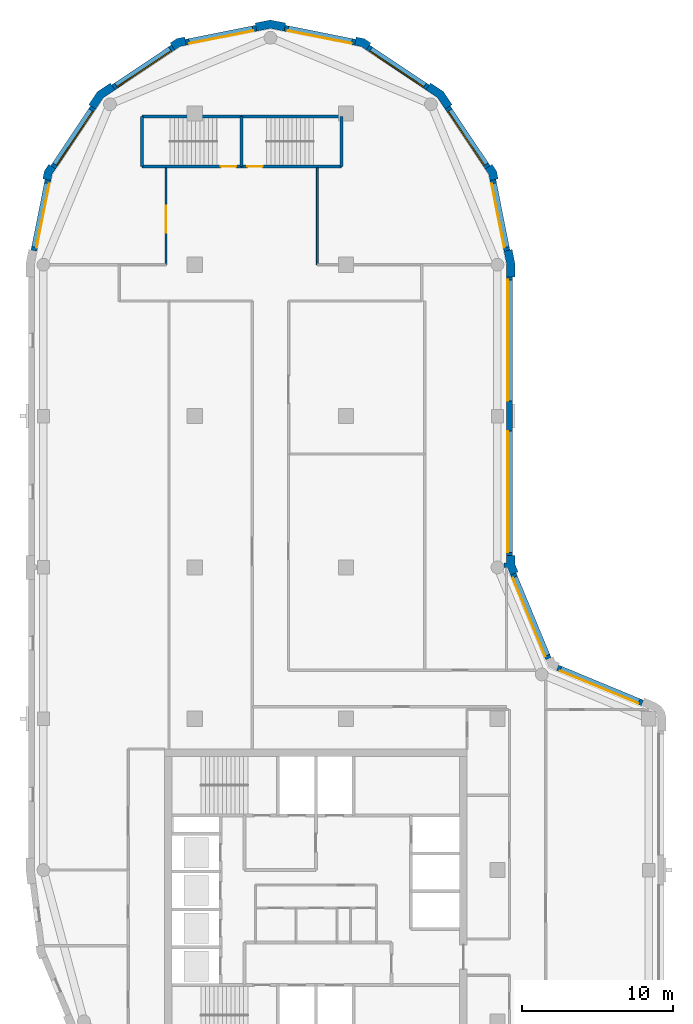
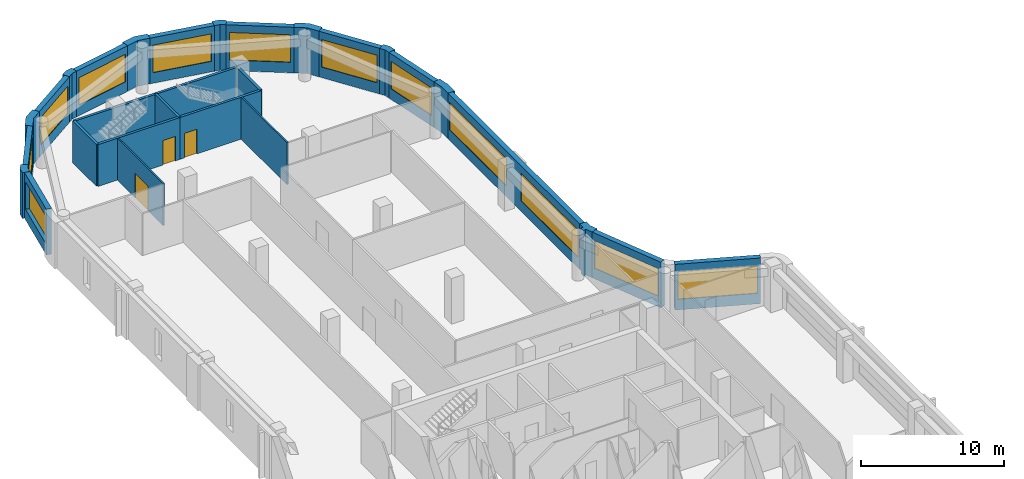
# One storey, part 5 of 8: 29 walls, 12 windows, 3 doors, 15 openings.
"""IFC4 building model written with IfcOpenShell, lengths in metres."""

import ifcopenshell
import ifcopenshell.guid

model = None  # the IFC model being written
_history = None  # IfcOwnerHistory: only IFC2X3 demands one
_inside = {}  # id of a spatial element -> (the spatial element, [elements in it])
_under = {}  # id of a project, library or spatial element -> (it, [spatial elements below it])
_declared = {}  # id of a project -> (the project, [libraries it declares])
_typed = {}  # id of a type object -> (the type object, [elements of that type])
_made_of = {}  # id of a material, layer set ... -> (it, [elements and type objects made of it])


def new_model(schema):
    """Start an empty IFC model of exactly this schema.

    Asked for "IFC4X3", IfcOpenShell would pick the latest addendum, in which some entities
    have other attributes; the version numbers below select the first issue.
    IFC2X3 requires an IfcOwnerHistory on every rooted entity: one is made here for all.
    """
    global model, _history
    if schema == "IFC4X3":
        model = ifcopenshell.file(schema_version=(4, 3, 0, 0))
    else:
        model = ifcopenshell.file(schema=schema)
    _inside.clear()
    _under.clear()
    _declared.clear()
    _typed.clear()
    _made_of.clear()
    _history = None
    if model.schema == "IFC2X3":
        org = make("IfcOrganization", Name="unknown")
        user = make(
            "IfcPersonAndOrganization",
            ThePerson=make("IfcPerson", FamilyName="unknown"),
            TheOrganization=org,
        )
        app = make(
            "IfcApplication",
            ApplicationDeveloper=org,
            Version="unknown",
            ApplicationFullName="unknown",
            ApplicationIdentifier="unknown",
        )
        _history = make(
            "IfcOwnerHistory",
            OwningUser=user,
            OwningApplication=app,
            ChangeAction="ADDED",
            CreationDate=0,
        )
    return model


def make(cls, **values):
    """One entity of the class cls with the attributes given. An attribute that is None is left unset."""
    return model.create_entity(
        cls, **{name: value for name, value in values.items() if value is not None}
    )


def rooted(cls, **values):
    """An entity with a GlobalId (a new one), such as an element, a storey or a relation."""
    return make(cls, GlobalId=ifcopenshell.guid.new(), OwnerHistory=_history, **values)


def si_unit(unit_type, name, prefix=None):
    """IfcSIUnit, for example si_unit("LENGTHUNIT", "METRE", prefix="MILLI")."""
    return make("IfcSIUnit", UnitType=unit_type, Prefix=prefix, Name=name)


def assignment(units):
    """IfcUnitAssignment: the units of a project."""
    return None if units is None else make("IfcUnitAssignment", Units=units)


def point(xyz):
    """IfcCartesianPoint."""
    return None if xyz is None else make("IfcCartesianPoint", Coordinates=xyz)


def direction(xyz):
    """IfcDirection."""
    return None if xyz is None else make("IfcDirection", DirectionRatios=xyz)


def frame(location, z_axis=None, x_axis=None):
    """IfcAxis2Placement3D, a coordinate frame: its origin and axes. An axis left out is left unset."""
    return make(
        "IfcAxis2Placement3D",
        Location=point(location),
        Axis=direction(z_axis),
        RefDirection=direction(x_axis),
    )


def frame_2d(location, x_axis=None):
    """IfcAxis2Placement2D, a coordinate frame in the plane: its origin and x axis."""
    return make(
        "IfcAxis2Placement2D", Location=point(location), RefDirection=direction(x_axis)
    )


def origin():
    """The frame at (0, 0, 0) with its axes left unset."""
    return frame((0.0, 0.0, 0.0))


def place(relative_to, where):
    """IfcLocalPlacement: puts the frame where relative to a parent placement (None: the world)."""
    return make(
        "IfcLocalPlacement", PlacementRelTo=relative_to, RelativePlacement=where
    )


def context(
    kind, dimensions, precision=None, world=None, true_north=None, identifier=None
):
    """IfcGeometricRepresentationContext, for example the 3D "Model" context."""
    return make(
        "IfcGeometricRepresentationContext",
        ContextIdentifier=identifier,
        ContextType=kind,
        CoordinateSpaceDimension=dimensions,
        Precision=precision,
        WorldCoordinateSystem=world,
        TrueNorth=true_north,
    )


def subcontext(parent, identifier, kind, view, scale=None):
    """IfcGeometricRepresentationSubContext, for example "Body" below "Model"."""
    return make(
        "IfcGeometricRepresentationSubContext",
        ContextIdentifier=identifier,
        ContextType=kind,
        ParentContext=parent,
        TargetScale=scale,
        TargetView=view,
    )


def project(units=None, contexts=None):
    """IfcProject with its units and contexts."""
    return rooted(
        "IfcProject",
        Name="project",
        RepresentationContexts=contexts,
        UnitsInContext=assignment(units),
    )


def spatial(cls, under=None, at=None, **own):
    """A site, building, storey or space (cls), placed at a placement, below another one or the project."""
    s = rooted(cls, ObjectPlacement=at, **own)
    if under is not None:
        _under.setdefault(under.id(), (under, []))[1].append(s)
    return s


def polyline(points):
    """IfcPolyline through the points."""
    return make("IfcPolyline", Points=[point(p) for p in points])


def profile(cls, at=None, kind="AREA", **sizes):
    """A parametric profile (cls). Its sizes go by their IFC names, for example OverallWidth=200.0."""
    return make(cls, ProfileType=kind, Position=at, **sizes)


def rectangle(**sizes):
    """IfcRectangleProfileDef."""
    return profile("IfcRectangleProfileDef", **sizes)


def outline(outer, holes=None, kind="AREA"):
    """IfcArbitraryClosedProfileDef: a profile drawn as a closed curve; with holes, ...WithVoids."""
    if holes is None:
        return make("IfcArbitraryClosedProfileDef", ProfileType=kind, OuterCurve=outer)
    return make(
        "IfcArbitraryProfileDefWithVoids",
        ProfileType=kind,
        OuterCurve=outer,
        InnerCurves=holes,
    )


def extrude(swept, where, along, depth):
    """IfcExtrudedAreaSolid: the profile swept, set in the frame where, extruded along a direction by depth."""
    return make(
        "IfcExtrudedAreaSolid",
        SweptArea=swept,
        Position=where,
        ExtrudedDirection=direction(along),
        Depth=depth,
    )


def shape(context_of_items, identifier, shape_type, items):
    """IfcShapeRepresentation: the items that make up one representation, for example the "Body"."""
    return make(
        "IfcShapeRepresentation",
        ContextOfItems=context_of_items,
        RepresentationIdentifier=identifier,
        RepresentationType=shape_type,
        Items=items,
    )


def material(Name=None, Category=None):
    """IfcMaterial."""
    return make("IfcMaterial", Name=Name, Category=Category)


def layer(
    of_material, thickness, ventilated=None, Name=None, Category=None, Priority=None
):
    """IfcMaterialLayer: one layer of a wall or slab, of a material (None: an air gap)."""
    return make(
        "IfcMaterialLayer",
        Material=of_material,
        LayerThickness=thickness,
        IsVentilated=ventilated,
        Name=Name,
        Category=Category,
        Priority=Priority,
    )


def layer_set(layers, Name=None):
    """IfcMaterialLayerSet."""
    return make("IfcMaterialLayerSet", MaterialLayers=layers, LayerSetName=Name)


def made_of(thing, what):
    """Note that an element or type object is made of a material, layer set ...; save() writes the relation."""
    if what is not None:
        _made_of.setdefault(what.id(), (what, []))[1].append(thing)
    return thing


def type_object(cls, material=None, **own):
    """A type object (cls), such as IfcWallType, which elements share."""
    return made_of(rooted(cls, **own), material)


def element(
    cls,
    number,
    at=None,
    inside=None,
    cuts=None,
    type_object=None,
    material=None,
    context=None,
    identifier="Body",
    shape_type=None,
    held_by="IfcProductDefinitionShape",
    body=None,
    shapes=None,
    **own,
):
    """One element of the class cls, such as IfcWall. Its Tag is "e" and its number.

    at: its placement. inside: the storey or other place that contains it. cuts: it is an
    opening in that element (IfcRelVoidsElement). A single representation is given by context,
    identifier, shape_type and body (its items); several are given by shapes. held_by: the class
    of the entity that holds the representations. save() writes the other relations.
    """
    e = rooted(cls, Tag="e%d" % number, ObjectPlacement=at, **own)
    if body is not None:
        shapes = [shape(context, identifier, shape_type, body)]
    if shapes is not None:
        e.Representation = make(held_by, Representations=shapes)
    if inside is not None:
        _inside.setdefault(inside.id(), (inside, []))[1].append(e)
    if cuts is not None:
        rooted(
            "IfcRelVoidsElement", RelatingBuildingElement=cuts, RelatedOpeningElement=e
        )
    if type_object is not None:
        _typed.setdefault(type_object.id(), (type_object, []))[1].append(e)
    return made_of(e, material)


def fill(opening, filler):
    """IfcRelFillsElement: the door or window that sits in an opening."""
    return rooted(
        "IfcRelFillsElement",
        RelatingOpeningElement=opening,
        RelatedBuildingElement=filler,
    )


def aggregate(whole, parts):
    """IfcRelAggregates: a whole, such as a stair, and the parts it consists of."""
    return rooted("IfcRelAggregates", RelatingObject=whole, RelatedObjects=parts)


def save(model, path):
    """Write the relations noted so far, then the file.

    IfcRelAggregates (storeys below a building ...), IfcRelContainedInSpatialStructure (elements
    in a storey), IfcRelDefinesByType, IfcRelAssociatesMaterial and IfcRelDeclares: one each for
    every whole, place, type object, material and project.
    """
    for whole, parts in _under.values():
        aggregate(whole, parts)
    for where, things in _inside.values():
        rooted(
            "IfcRelContainedInSpatialStructure",
            RelatedElements=things,
            RelatingStructure=where,
        )
    for kind, things in _typed.values():
        rooted("IfcRelDefinesByType", RelatedObjects=things, RelatingType=kind)
    for what, things in _made_of.values():
        rooted("IfcRelAssociatesMaterial", RelatedObjects=things, RelatingMaterial=what)
    for by, libraries in _declared.values():
        rooted("IfcRelDeclares", RelatingContext=by, RelatedDefinitions=libraries)
    model.write(path)


model = new_model("IFC4")

# Units and contexts
model_context = context("Model", 3, precision=1e-05, world=origin(), true_north=direction((0.0, 1.0)))
body_context = subcontext(model_context, "Body", "Model", "MODEL_VIEW")
ifc_project = project(units=[si_unit("LENGTHUNIT", "METRE"), si_unit("AREAUNIT", "SQUARE_METRE"), si_unit("VOLUMEUNIT", "CUBIC_METRE"), si_unit("PLANEANGLEUNIT", "RADIAN"), si_unit("MASSUNIT", "GRAM", prefix="KILO")], contexts=[model_context])

# Site, building, storey
site_placement = place(None, origin())
site = spatial("IfcSite", under=ifc_project, at=site_placement, CompositionType="ELEMENT")
building_placement = place(site_placement, origin())
building = spatial("IfcBuilding", under=site, at=building_placement, Name="Qaws Garden Tower", CompositionType="ELEMENT")
storey_placement = place(building_placement, frame((0.0, 0.0, 309.89990234375)))
storey = spatial("IfcBuildingStorey", under=building, at=storey_placement, Name="L75", CompositionType="ELEMENT", Elevation=309.89990234375)

# Wall, opening, window
ifc_material_1 = material(Name="Buff clay facing brick masonry", Category="masonry")
ifc_layer_1 = layer(ifc_material_1, 0.39990234375)
ifc_layer_set_1 = layer_set([ifc_layer_1], Name="Buff clay facing brick masonry")
wall_type_1 = type_object("IfcWallType", Name="Buff brick infill wall 400", PredefinedType="SOLIDWALL", material=ifc_layer_set_1)
wall_1_placement = place(storey_placement, frame((39.56689453125, 31.04541015625, 0.0), z_axis=(0.0, 0.0, 1.0), x_axis=(-0.923891000409, 0.382655745237, 0.0)))
wall_1 = element("IfcWall", 1, at=wall_1_placement, inside=storey, type_object=wall_type_1, Name="E-L75-infill-05", PredefinedType="SOLIDWALL", context=body_context, shape_type="SweptSolid", body=[
    extrude(rectangle(XDim=6.053466796875, YDim=0.39990234375, at=frame_2d((3.02685546875, 0.0))), origin(), (0.0, 0.0, 1.0), 3.900146484375),
])
opening_1_placement = place(wall_1_placement, frame((0.226806640625, 0.0, 0.89990234375)))
opening_1 = element("IfcOpeningElement", 2, at=opening_1_placement, cuts=wall_1, Name="Opening W04", PredefinedType="OPENING", context=body_context, shape_type="SweptSolid", body=[
    extrude(rectangle(XDim=5.60009765625, YDim=2.35009765625, at=frame_2d((2.800048828125, 1.175048828125))), frame((0.0, 0.2099609375, 0.0), z_axis=(0.0, -1.0, 0.0), x_axis=(1.0, 0.0, 0.0)), (0.0, 0.0, 1.0), 0.419921875),
])
ifc_material_2 = material(Name="Aluminium framed window, clear glazing", Category="aluminium")
window_type_1 = type_object("IfcWindowType", Name="Ribbon window 5600 x 2350", PartitioningType="DOUBLE_PANEL_VERTICAL", PredefinedType="WINDOW", material=ifc_material_2)
window_1_placement = place(opening_1_placement, origin())
window_1 = element("IfcWindow", 3, at=window_1_placement, inside=storey, type_object=window_type_1, Name="E-L75-window-05-0", OverallHeight=2.35009765625, OverallWidth=5.60009765625, PartitioningType="SINGLE_PANEL", PredefinedType="WINDOW", context=body_context, shape_type="SweptSolid", body=[
    extrude(rectangle(XDim=5.60009765625, YDim=2.35009765625, at=frame_2d((2.800048828125, 1.175048828125))), frame((0.0, 0.159912109375, 0.0), z_axis=(0.0, -1.0, 0.0), x_axis=(1.0, 0.0, 0.0)), (0.0, 0.0, 1.0), 0.06005859375),
])
fill(opening_1, window_1)

wall_2_placement = place(storey_placement, frame((33.36181640625, 33.97412109375, 0.0), z_axis=(0.0, 0.0, 1.0), x_axis=(-0.382655745237, 0.923891000409, 0.0)))
wall_2 = element("IfcWall", 4, at=wall_2_placement, inside=storey, type_object=wall_type_1, Name="E-L75-infill-06", PredefinedType="SOLIDWALL", context=body_context, shape_type="SweptSolid", body=[
    extrude(rectangle(XDim=6.053466796875, YDim=0.39990234375, at=frame_2d((3.02685546875, 0.0))), origin(), (0.0, 0.0, 1.0), 3.900146484375),
])
opening_2_placement = place(wall_2_placement, frame((0.226806640625, 0.0, 0.89990234375)))
opening_2 = element("IfcOpeningElement", 5, at=opening_2_placement, cuts=wall_2, Name="Opening W04", PredefinedType="OPENING", context=body_context, shape_type="SweptSolid", body=[
    extrude(rectangle(XDim=5.60009765625, YDim=2.35009765625, at=frame_2d((2.800048828125, 1.175048828125))), frame((0.0, 0.2099609375, 0.0), z_axis=(0.0, -1.0, 0.0), x_axis=(1.0, 0.0, 0.0)), (0.0, 0.0, 1.0), 0.419921875),
])
window_2_placement = place(opening_2_placement, origin())
window_2 = element("IfcWindow", 6, at=window_2_placement, inside=storey, type_object=window_type_1, Name="E-L75-window-06-0", OverallHeight=2.35009765625, OverallWidth=5.60009765625, PartitioningType="SINGLE_PANEL", PredefinedType="WINDOW", context=body_context, shape_type="SweptSolid", body=[
    extrude(rectangle(XDim=5.60009765625, YDim=2.35009765625, at=frame_2d((2.800048828125, 1.175048828125))), frame((0.0, 0.159912109375, 0.0), z_axis=(0.0, -1.0, 0.0), x_axis=(1.0, 0.0, 0.0)), (0.0, 0.0, 1.0), 0.06005859375),
])
fill(opening_2, window_2)

# Wall, openings, windows
wall_3_placement = place(storey_placement, frame((30.800048828125, 40.800048828125, 0.0), z_axis=(0.0, 0.0, 1.0), x_axis=(0.0, 1.0, 0.0)))
wall_3 = element("IfcWall", 7, at=wall_3_placement, inside=storey, type_object=wall_type_1, Name="E-L75-infill-07", PredefinedType="SOLIDWALL", context=body_context, shape_type="SweptSolid", body=[
    extrude(rectangle(XDim=18.39990234375, YDim=0.39990234375, at=frame_2d((9.199951171875, 0.0))), origin(), (0.0, 0.0, 1.0), 3.900146484375),
])
opening_3_placement = place(wall_3_placement, frame((0.199951171875, 0.0, 0.89990234375)))
opening_3 = element("IfcOpeningElement", 8, at=opening_3_placement, cuts=wall_3, Name="Opening W01", PredefinedType="OPENING", context=body_context, shape_type="SweptSolid", body=[
    extrude(rectangle(XDim=8.0, YDim=2.35009765625, at=frame_2d((4.0, 1.175048828125))), frame((0.0, 0.2099609375, 0.0), z_axis=(0.0, -1.0, 0.0), x_axis=(1.0, 0.0, 0.0)), (0.0, 0.0, 1.0), 0.419921875),
])
opening_4_placement = place(wall_3_placement, frame((10.199951171875, 0.0, 0.89990234375)))
opening_4 = element("IfcOpeningElement", 9, at=opening_4_placement, cuts=wall_3, Name="Opening W01", PredefinedType="OPENING", context=body_context, shape_type="SweptSolid", body=[
    extrude(rectangle(XDim=8.0, YDim=2.35009765625, at=frame_2d((4.0, 1.175048828125))), frame((0.0, 0.2099609375, 0.0), z_axis=(0.0, -1.0, 0.0), x_axis=(1.0, 0.0, 0.0)), (0.0, 0.0, 1.0), 0.419921875),
])
ifc_material_3 = material(Name="Aluminium framed window, clear glazing", Category="aluminium")
window_type_2 = type_object("IfcWindowType", Name="Ribbon window 8000 x 2350", PartitioningType="DOUBLE_PANEL_VERTICAL", PredefinedType="WINDOW", material=ifc_material_3)
window_3_placement = place(opening_3_placement, origin())
window_3 = element("IfcWindow", 10, at=window_3_placement, inside=storey, type_object=window_type_2, Name="E-L75-window-07-0", OverallHeight=2.35009765625, OverallWidth=8.0, PartitioningType="SINGLE_PANEL", PredefinedType="WINDOW", context=body_context, shape_type="SweptSolid", body=[
    extrude(rectangle(XDim=8.0, YDim=2.35009765625, at=frame_2d((4.0, 1.175048828125))), frame((0.0, 0.159912109375, 0.0), z_axis=(0.0, -1.0, 0.0), x_axis=(1.0, 0.0, 0.0)), (0.0, 0.0, 1.0), 0.06005859375),
])
fill(opening_3, window_3)
window_4_placement = place(opening_4_placement, origin())
window_4 = element("IfcWindow", 11, at=window_4_placement, inside=storey, type_object=window_type_2, Name="E-L75-window-08-0", OverallHeight=2.35009765625, OverallWidth=8.0, PartitioningType="SINGLE_PANEL", PredefinedType="WINDOW", context=body_context, shape_type="SweptSolid", body=[
    extrude(rectangle(XDim=8.0, YDim=2.35009765625, at=frame_2d((4.0, 1.175048828125))), frame((0.0, 0.159912109375, 0.0), z_axis=(0.0, -1.0, 0.0), x_axis=(1.0, 0.0, 0.0)), (0.0, 0.0, 1.0), 0.06005859375),
])
fill(opening_4, window_4)

# Wall, opening, window
wall_4_placement = place(storey_placement, frame((30.628662109375, 60.940673828125, 0.0), z_axis=(0.0, 0.0, 1.0), x_axis=(-0.195098533057, 0.98078364709, 0.0)))
wall_4 = element("IfcWall", 12, at=wall_4_placement, inside=storey, type_object=wall_type_1, Name="E-L75-infill-09", PredefinedType="SOLIDWALL", context=body_context, shape_type="SweptSolid", body=[
    extrude(rectangle(XDim=4.752685546875, YDim=0.39990234375, at=frame_2d((2.37646484375, 0.0))), origin(), (0.0, 0.0, 1.0), 3.900146484375),
])
opening_5_placement = place(wall_4_placement, frame((0.226318359375, 0.0, 0.89990234375)))
opening_5 = element("IfcOpeningElement", 13, at=opening_5_placement, cuts=wall_4, Name="Opening W06", PredefinedType="OPENING", context=body_context, shape_type="SweptSolid", body=[
    extrude(rectangle(XDim=4.300048828125, YDim=2.35009765625, at=frame_2d((2.14990234375, 1.175048828125))), frame((0.0, 0.2099609375, 0.0), z_axis=(0.0, -1.0, 0.0), x_axis=(1.0, 0.0, 0.0)), (0.0, 0.0, 1.0), 0.419921875),
])
ifc_material_4 = material(Name="Aluminium framed window, clear glazing", Category="aluminium")
window_type_3 = type_object("IfcWindowType", Name="Ribbon window 4300 x 2350", PartitioningType="DOUBLE_PANEL_VERTICAL", PredefinedType="WINDOW", material=ifc_material_4)
window_5_placement = place(opening_5_placement, origin())
window_5 = element("IfcWindow", 14, at=window_5_placement, inside=storey, type_object=window_type_3, Name="E-L75-window-09-0", OverallHeight=2.35009765625, OverallWidth=4.300048828125, PartitioningType="SINGLE_PANEL", PredefinedType="WINDOW", context=body_context, shape_type="SweptSolid", body=[
    extrude(rectangle(XDim=4.300048828125, YDim=2.35009765625, at=frame_2d((2.14990234375, 1.175048828125))), frame((0.0, 0.159912109375, 0.0), z_axis=(0.0, -1.0, 0.0), x_axis=(1.0, 0.0, 0.0)), (0.0, 0.0, 1.0), 0.06005859375),
])
fill(opening_5, window_5)

wall_5_placement = place(storey_placement, frame((29.356689453125, 66.43408203125, 0.0), z_axis=(0.0, 0.0, 1.0), x_axis=(-0.555541552266, 0.831488775454, 0.0)))
wall_5 = element("IfcWall", 15, at=wall_5_placement, inside=storey, type_object=wall_type_1, Name="E-L75-infill-10", PredefinedType="SOLIDWALL", context=body_context, shape_type="SweptSolid", body=[
    extrude(rectangle(XDim=4.752685546875, YDim=0.39990234375, at=frame_2d((2.37646484375, 0.0))), origin(), (0.0, 0.0, 1.0), 3.900146484375),
])
opening_6_placement = place(wall_5_placement, frame((0.226318359375, 0.0, 0.89990234375)))
opening_6 = element("IfcOpeningElement", 16, at=opening_6_placement, cuts=wall_5, Name="Opening W06", PredefinedType="OPENING", context=body_context, shape_type="SweptSolid", body=[
    extrude(rectangle(XDim=4.300048828125, YDim=2.35009765625, at=frame_2d((2.14990234375, 1.175048828125))), frame((0.0, 0.2099609375, 0.0), z_axis=(0.0, -1.0, 0.0), x_axis=(1.0, 0.0, 0.0)), (0.0, 0.0, 1.0), 0.419921875),
])
window_6_placement = place(opening_6_placement, origin())
window_6 = element("IfcWindow", 17, at=window_6_placement, inside=storey, type_object=window_type_3, Name="E-L75-window-10-0", OverallHeight=2.35009765625, OverallWidth=4.300048828125, PartitioningType="SINGLE_PANEL", PredefinedType="WINDOW", context=body_context, shape_type="SweptSolid", body=[
    extrude(rectangle(XDim=4.300048828125, YDim=2.35009765625, at=frame_2d((2.14990234375, 1.175048828125))), frame((0.0, 0.159912109375, 0.0), z_axis=(0.0, -1.0, 0.0), x_axis=(1.0, 0.0, 0.0)), (0.0, 0.0, 1.0), 0.06005859375),
])
fill(opening_6, window_6)

wall_6_placement = place(storey_placement, frame((25.385986328125, 71.71630859375, 0.0), z_axis=(0.0, 0.0, 1.0), x_axis=(-0.831488775454, 0.555541552266, 0.0)))
wall_6 = element("IfcWall", 18, at=wall_6_placement, inside=storey, type_object=wall_type_1, Name="E-L75-infill-11", PredefinedType="SOLIDWALL", context=body_context, shape_type="SweptSolid", body=[
    extrude(rectangle(XDim=4.752685546875, YDim=0.39990234375, at=frame_2d((2.37646484375, 0.0))), origin(), (0.0, 0.0, 1.0), 3.900146484375),
])
opening_7_placement = place(wall_6_placement, frame((0.226318359375, 0.0, 0.89990234375)))
opening_7 = element("IfcOpeningElement", 19, at=opening_7_placement, cuts=wall_6, Name="Opening W06", PredefinedType="OPENING", context=body_context, shape_type="SweptSolid", body=[
    extrude(rectangle(XDim=4.300048828125, YDim=2.35009765625, at=frame_2d((2.14990234375, 1.175048828125))), frame((0.0, 0.2099609375, 0.0), z_axis=(0.0, -1.0, 0.0), x_axis=(1.0, 0.0, 0.0)), (0.0, 0.0, 1.0), 0.419921875),
])
window_7_placement = place(opening_7_placement, origin())
window_7 = element("IfcWindow", 20, at=window_7_placement, inside=storey, type_object=window_type_3, Name="E-L75-window-11-0", OverallHeight=2.35009765625, OverallWidth=4.300048828125, PartitioningType="SINGLE_PANEL", PredefinedType="WINDOW", context=body_context, shape_type="SweptSolid", body=[
    extrude(rectangle(XDim=4.300048828125, YDim=2.35009765625, at=frame_2d((2.14990234375, 1.175048828125))), frame((0.0, 0.159912109375, 0.0), z_axis=(0.0, -1.0, 0.0), x_axis=(1.0, 0.0, 0.0)), (0.0, 0.0, 1.0), 0.06005859375),
])
fill(opening_7, window_7)

wall_7_placement = place(storey_placement, frame((20.60205078125, 74.701416015625, 0.0), z_axis=(0.0, 0.0, 1.0), x_axis=(-0.98078364709, 0.195098533057, 0.0)))
wall_7 = element("IfcWall", 21, at=wall_7_placement, inside=storey, type_object=wall_type_1, Name="E-L75-infill-12", PredefinedType="SOLIDWALL", context=body_context, shape_type="SweptSolid", body=[
    extrude(rectangle(XDim=4.752685546875, YDim=0.39990234375, at=frame_2d((2.37646484375, 0.0))), origin(), (0.0, 0.0, 1.0), 3.900146484375),
])
opening_8_placement = place(wall_7_placement, frame((0.226318359375, 0.0, 0.89990234375)))
opening_8 = element("IfcOpeningElement", 22, at=opening_8_placement, cuts=wall_7, Name="Opening W06", PredefinedType="OPENING", context=body_context, shape_type="SweptSolid", body=[
    extrude(rectangle(XDim=4.300048828125, YDim=2.35009765625, at=frame_2d((2.14990234375, 1.175048828125))), frame((0.0, 0.2099609375, 0.0), z_axis=(0.0, -1.0, 0.0), x_axis=(1.0, 0.0, 0.0)), (0.0, 0.0, 1.0), 0.419921875),
])
window_8_placement = place(opening_8_placement, origin())
window_8 = element("IfcWindow", 23, at=window_8_placement, inside=storey, type_object=window_type_3, Name="E-L75-window-12-0", OverallHeight=2.35009765625, OverallWidth=4.300048828125, PartitioningType="SINGLE_PANEL", PredefinedType="WINDOW", context=body_context, shape_type="SweptSolid", body=[
    extrude(rectangle(XDim=4.300048828125, YDim=2.35009765625, at=frame_2d((2.14990234375, 1.175048828125))), frame((0.0, 0.159912109375, 0.0), z_axis=(0.0, -1.0, 0.0), x_axis=(1.0, 0.0, 0.0)), (0.0, 0.0, 1.0), 0.06005859375),
])
fill(opening_8, window_8)

wall_8_placement = place(storey_placement, frame((14.059326171875, 75.628662109375, 0.0), z_axis=(0.0, 0.0, 1.0), x_axis=(-0.98078364709, -0.195098533057, 0.0)))
wall_8 = element("IfcWall", 24, at=wall_8_placement, inside=storey, type_object=wall_type_1, Name="E-L75-infill-13", PredefinedType="SOLIDWALL", context=body_context, shape_type="SweptSolid", body=[
    extrude(rectangle(XDim=4.752685546875, YDim=0.39990234375, at=frame_2d((2.37646484375, 0.0))), origin(), (0.0, 0.0, 1.0), 3.900146484375),
])
opening_9_placement = place(wall_8_placement, frame((0.226318359375, 0.0, 0.89990234375)))
opening_9 = element("IfcOpeningElement", 25, at=opening_9_placement, cuts=wall_8, Name="Opening W06", PredefinedType="OPENING", context=body_context, shape_type="SweptSolid", body=[
    extrude(rectangle(XDim=4.300048828125, YDim=2.35009765625, at=frame_2d((2.14990234375, 1.175048828125))), frame((0.0, 0.2099609375, 0.0), z_axis=(0.0, -1.0, 0.0), x_axis=(1.0, 0.0, 0.0)), (0.0, 0.0, 1.0), 0.419921875),
])
window_9_placement = place(opening_9_placement, origin())
window_9 = element("IfcWindow", 26, at=window_9_placement, inside=storey, type_object=window_type_3, Name="E-L75-window-13-0", OverallHeight=2.35009765625, OverallWidth=4.300048828125, PartitioningType="SINGLE_PANEL", PredefinedType="WINDOW", context=body_context, shape_type="SweptSolid", body=[
    extrude(rectangle(XDim=4.300048828125, YDim=2.35009765625, at=frame_2d((2.14990234375, 1.175048828125))), frame((0.0, 0.159912109375, 0.0), z_axis=(0.0, -1.0, 0.0), x_axis=(1.0, 0.0, 0.0)), (0.0, 0.0, 1.0), 0.06005859375),
])
fill(opening_9, window_9)

wall_9_placement = place(storey_placement, frame((8.56591796875, 74.356689453125, 0.0), z_axis=(0.0, 0.0, 1.0), x_axis=(-0.831488775454, -0.555541552266, 0.0)))
wall_9 = element("IfcWall", 27, at=wall_9_placement, inside=storey, type_object=wall_type_1, Name="E-L75-infill-14", PredefinedType="SOLIDWALL", context=body_context, shape_type="SweptSolid", body=[
    extrude(rectangle(XDim=4.752685546875, YDim=0.39990234375, at=frame_2d((2.37646484375, 0.0))), origin(), (0.0, 0.0, 1.0), 3.900146484375),
])
opening_10_placement = place(wall_9_placement, frame((0.226318359375, 0.0, 0.89990234375)))
opening_10 = element("IfcOpeningElement", 28, at=opening_10_placement, cuts=wall_9, Name="Opening W06", PredefinedType="OPENING", context=body_context, shape_type="SweptSolid", body=[
    extrude(rectangle(XDim=4.300048828125, YDim=2.35009765625, at=frame_2d((2.14990234375, 1.175048828125))), frame((0.0, 0.2099609375, 0.0), z_axis=(0.0, -1.0, 0.0), x_axis=(1.0, 0.0, 0.0)), (0.0, 0.0, 1.0), 0.419921875),
])
window_10_placement = place(opening_10_placement, origin())
window_10 = element("IfcWindow", 29, at=window_10_placement, inside=storey, type_object=window_type_3, Name="E-L75-window-14-0", OverallHeight=2.35009765625, OverallWidth=4.300048828125, PartitioningType="SINGLE_PANEL", PredefinedType="WINDOW", context=body_context, shape_type="SweptSolid", body=[
    extrude(rectangle(XDim=4.300048828125, YDim=2.35009765625, at=frame_2d((2.14990234375, 1.175048828125))), frame((0.0, 0.159912109375, 0.0), z_axis=(0.0, -1.0, 0.0), x_axis=(1.0, 0.0, 0.0)), (0.0, 0.0, 1.0), 0.06005859375),
])
fill(opening_10, window_10)

wall_10_placement = place(storey_placement, frame((3.28369140625, 70.385986328125, 0.0), z_axis=(0.0, 0.0, 1.0), x_axis=(-0.555541552266, -0.831488775454, 0.0)))
wall_10 = element("IfcWall", 30, at=wall_10_placement, inside=storey, type_object=wall_type_1, Name="E-L75-infill-15", PredefinedType="SOLIDWALL", context=body_context, shape_type="SweptSolid", body=[
    extrude(rectangle(XDim=4.752685546875, YDim=0.39990234375, at=frame_2d((2.37646484375, 0.0))), origin(), (0.0, 0.0, 1.0), 3.900146484375),
])
opening_11_placement = place(wall_10_placement, frame((0.226318359375, 0.0, 0.89990234375)))
opening_11 = element("IfcOpeningElement", 31, at=opening_11_placement, cuts=wall_10, Name="Opening W06", PredefinedType="OPENING", context=body_context, shape_type="SweptSolid", body=[
    extrude(rectangle(XDim=4.300048828125, YDim=2.35009765625, at=frame_2d((2.14990234375, 1.175048828125))), frame((0.0, 0.2099609375, 0.0), z_axis=(0.0, -1.0, 0.0), x_axis=(1.0, 0.0, 0.0)), (0.0, 0.0, 1.0), 0.419921875),
])
window_11_placement = place(opening_11_placement, origin())
window_11 = element("IfcWindow", 32, at=window_11_placement, inside=storey, type_object=window_type_3, Name="E-L75-window-15-0", OverallHeight=2.35009765625, OverallWidth=4.300048828125, PartitioningType="SINGLE_PANEL", PredefinedType="WINDOW", context=body_context, shape_type="SweptSolid", body=[
    extrude(rectangle(XDim=4.300048828125, YDim=2.35009765625, at=frame_2d((2.14990234375, 1.175048828125))), frame((0.0, 0.159912109375, 0.0), z_axis=(0.0, -1.0, 0.0), x_axis=(1.0, 0.0, 0.0)), (0.0, 0.0, 1.0), 0.06005859375),
])
fill(opening_11, window_11)

wall_11_placement = place(storey_placement, frame((0.298583984375, 65.60205078125, 0.0), z_axis=(0.0, 0.0, 1.0), x_axis=(-0.195098533057, -0.98078364709, 0.0)))
wall_11 = element("IfcWall", 33, at=wall_11_placement, inside=storey, type_object=wall_type_1, Name="E-L75-infill-16", PredefinedType="SOLIDWALL", context=body_context, shape_type="SweptSolid", body=[
    extrude(rectangle(XDim=4.752685546875, YDim=0.39990234375, at=frame_2d((2.37646484375, 0.0))), origin(), (0.0, 0.0, 1.0), 3.900146484375),
])
opening_12_placement = place(wall_11_placement, frame((0.226318359375, 0.0, 0.89990234375)))
opening_12 = element("IfcOpeningElement", 34, at=opening_12_placement, cuts=wall_11, Name="Opening W06", PredefinedType="OPENING", context=body_context, shape_type="SweptSolid", body=[
    extrude(rectangle(XDim=4.300048828125, YDim=2.35009765625, at=frame_2d((2.14990234375, 1.175048828125))), frame((0.0, 0.2099609375, 0.0), z_axis=(0.0, -1.0, 0.0), x_axis=(1.0, 0.0, 0.0)), (0.0, 0.0, 1.0), 0.419921875),
])
window_12_placement = place(opening_12_placement, origin())
window_12 = element("IfcWindow", 35, at=window_12_placement, inside=storey, type_object=window_type_3, Name="E-L75-window-16-0", OverallHeight=2.35009765625, OverallWidth=4.300048828125, PartitioningType="SINGLE_PANEL", PredefinedType="WINDOW", context=body_context, shape_type="SweptSolid", body=[
    extrude(rectangle(XDim=4.300048828125, YDim=2.35009765625, at=frame_2d((2.14990234375, 1.175048828125))), frame((0.0, 0.159912109375, 0.0), z_axis=(0.0, -1.0, 0.0), x_axis=(1.0, 0.0, 0.0)), (0.0, 0.0, 1.0), 0.06005859375),
])
fill(opening_12, window_12)

# Walls
ifc_material_5 = material(Name="Buff clay facing brick masonry", Category="masonry")
ifc_layer_2 = layer(ifc_material_5, 0.550048828125)
ifc_layer_set_2 = layer_set([ifc_layer_2], Name="Buff clay facing brick masonry")
wall_type_2 = type_object("IfcWallType", Name="Buff brick kink pier 550 x 600", PredefinedType="SOLIDWALL", material=ifc_layer_set_2)
placement = place(storey_placement, origin())
element("IfcWall", 36, at=placement, inside=storey, type_object=wall_type_2, Name="E-L75-pier-10", PredefinedType="SOLIDWALL", context=body_context, shape_type="SweptSolid", body=[
    extrude(outline(polyline([(29.8974609375, 65.64111328125), (30.044677734375, 65.67041015625), (29.94140625, 66.18896484375), (29.647705078125, 66.628662109375), (29.52294921875, 66.545166015625), (29.1904296875, 66.322998046875), (29.42333984375, 65.974365234375), (29.505126953125, 65.56298828125), (29.8974609375, 65.64111328125)])), origin(), (0.0, 0.0, 1.0), 3.900146484375),
])
element("IfcWall", 37, at=placement, inside=storey, type_object=wall_type_2, Name="E-L75-pier-12", PredefinedType="SOLIDWALL", context=body_context, shape_type="SweptSolid", body=[
    extrude(outline(polyline([(21.545166015625, 74.52294921875), (21.628662109375, 74.647705078125), (21.18896484375, 74.94140625), (20.67041015625, 75.044677734375), (20.64111328125, 74.8974609375), (20.56298828125, 74.505126953125), (20.974365234375, 74.42333984375), (21.322998046875, 74.1904296875), (21.545166015625, 74.52294921875)])), origin(), (0.0, 0.0, 1.0), 3.900146484375),
])
element("IfcWall", 38, at=placement, inside=storey, type_object=wall_type_2, Name="E-L75-pier-14", PredefinedType="SOLIDWALL", context=body_context, shape_type="SweptSolid", body=[
    extrude(outline(polyline([(9.35888671875, 74.8974609375), (9.32958984375, 75.044677734375), (8.81103515625, 74.94140625), (8.371337890625, 74.647705078125), (8.454833984375, 74.52294921875), (8.677001953125, 74.1904296875), (9.025634765625, 74.42333984375), (9.43701171875, 74.505126953125), (9.35888671875, 74.8974609375)])), origin(), (0.0, 0.0, 1.0), 3.900146484375),
])
element("IfcWall", 39, at=placement, inside=storey, type_object=wall_type_2, Name="E-L75-pier-16", PredefinedType="SOLIDWALL", context=body_context, shape_type="SweptSolid", body=[
    extrude(outline(polyline([(0.47705078125, 66.545166015625), (0.352294921875, 66.628662109375), (0.05859375, 66.18896484375), (-0.044677734375, 65.67041015625), (0.1025390625, 65.64111328125), (0.494873046875, 65.56298828125), (0.57666015625, 65.974365234375), (0.8095703125, 66.322998046875), (0.47705078125, 66.545166015625)])), origin(), (0.0, 0.0, 1.0), 3.900146484375),
])
ifc_material_6 = material(Name="Buff clay facing brick masonry", Category="masonry")
ifc_layer_3 = layer(ifc_material_6, 0.550048828125)
ifc_layer_set_3 = layer_set([ifc_layer_3], Name="Buff clay facing brick masonry")
wall_type_3 = type_object("IfcWallType", Name="Buff brick pier 550 x 1600", PredefinedType="SOLIDWALL", material=ifc_layer_set_3)
element("IfcWall", 40, at=placement, inside=storey, type_object=wall_type_3, Name="E-L75-pier-07", PredefinedType="SOLIDWALL", context=body_context, shape_type="SweptSolid", body=[
    extrude(outline(polyline([(30.6201171875, 39.995361328125), (30.6201171875, 40.071044921875), (30.860595703125, 39.490478515625), (31.22998046875, 39.6435546875), (31.36865234375, 39.700927734375), (31.14990234375, 40.228759765625), (31.14990234375, 40.800048828125), (31.0, 40.800048828125), (30.60009765625, 40.800048828125), (30.60009765625, 40.29541015625), (30.425048828125, 40.29541015625), (30.425048828125, 39.995361328125), (30.6201171875, 39.995361328125)])), origin(), (0.0, 0.0, 1.0), 3.900146484375),
])
element("IfcWall", 41, at=placement, inside=storey, type_object=wall_type_3, Name="E-L75-pier-09", PredefinedType="SOLIDWALL", context=body_context, shape_type="SweptSolid", body=[
    extrude(outline(polyline([(31.0, 59.199951171875), (31.14990234375, 59.199951171875), (31.14990234375, 60.11328125), (30.971923828125, 61.009033203125), (30.82470703125, 60.979736328125), (30.432373046875, 60.901611328125), (30.60009765625, 60.05908203125), (30.60009765625, 59.199951171875), (31.0, 59.199951171875)])), origin(), (0.0, 0.0, 1.0), 3.900146484375),
])
element("IfcWall", 42, at=placement, inside=storey, type_object=wall_type_3, Name="E-L75-pier-11", PredefinedType="SOLIDWALL", context=body_context, shape_type="SweptSolid", body=[
    extrude(outline(polyline([(26.882568359375, 70.4970703125), (27.00732421875, 70.580322265625), (26.435791015625, 71.435791015625), (25.580322265625, 72.00732421875), (25.4970703125, 71.882568359375), (25.274658203125, 71.550048828125), (26.0390625, 71.0390625), (26.550048828125, 70.274658203125), (26.882568359375, 70.4970703125)])), origin(), (0.0, 0.0, 1.0), 3.900146484375),
])
element("IfcWall", 43, at=placement, inside=storey, type_object=wall_type_3, Name="E-L75-pier-13", PredefinedType="SOLIDWALL", context=body_context, shape_type="SweptSolid", body=[
    extrude(outline(polyline([(15.979736328125, 75.82470703125), (16.009033203125, 75.971923828125), (15.0, 76.172607421875), (13.990966796875, 75.971923828125), (14.020263671875, 75.82470703125), (14.098388671875, 75.432373046875), (15.0, 75.61181640625), (15.901611328125, 75.432373046875), (15.979736328125, 75.82470703125)])), origin(), (0.0, 0.0, 1.0), 3.900146484375),
])
element("IfcWall", 44, at=placement, inside=storey, type_object=wall_type_3, Name="E-L75-pier-15", PredefinedType="SOLIDWALL", context=body_context, shape_type="SweptSolid", body=[
    extrude(outline(polyline([(4.5029296875, 71.882568359375), (4.419677734375, 72.00732421875), (3.564208984375, 71.435791015625), (2.99267578125, 70.580322265625), (3.117431640625, 70.4970703125), (3.449951171875, 70.274658203125), (3.9609375, 71.0390625), (4.725341796875, 71.550048828125), (4.5029296875, 71.882568359375)])), origin(), (0.0, 0.0, 1.0), 3.900146484375),
])

# Wall, opening, door
ifc_material_7 = material(Name="Concrete C60", Category="concrete")
ifc_layer_4 = layer(ifc_material_7, 0.199951171875)
ifc_layer_set_4 = layer_set([ifc_layer_4], Name="Concrete C60")
wall_type_4 = type_object("IfcWallType", Name="Core shaft wall 200 C60", PredefinedType="SHEAR", material=ifc_layer_set_4)
wall_21_placement = place(storey_placement, frame((6.5, 66.5, 0.0), z_axis=(0.0, 0.0, 1.0), x_axis=(1.0, 0.0, 0.0)))
wall_21 = element("IfcWall", 45, at=wall_21_placement, inside=storey, type_object=wall_type_4, Name="Shaft wall", PredefinedType="SHEAR", context=body_context, shape_type="SweptSolid", body=[
    extrude(rectangle(XDim=6.60009765625, YDim=0.199951171875, at=frame_2d((3.300048828125, 0.0))), origin(), (0.0, 0.0, 1.0), 3.580078125),
])
opening_13_placement = place(wall_21_placement, frame((5.22509765625, 0.0, 0.0)))
opening_13 = element("IfcOpeningElement", 46, at=opening_13_placement, cuts=wall_21, Name="Opening SD13", PredefinedType="OPENING", context=body_context, shape_type="SweptSolid", body=[
    extrude(rectangle(XDim=1.0, YDim=2.10009765625, at=frame_2d((0.5, 1.050048828125))), frame((0.0, 0.10986328125, 0.0), z_axis=(0.0, -1.0, 0.0), x_axis=(1.0, 0.0, 0.0)), (0.0, 0.0, 1.0), 0.219970703125),
])
ifc_material_8 = material(Name="Steel S235", Category="steel")
door_type_1 = type_object("IfcDoorType", Name="Stair door 1000x2100", OperationType="SINGLE_SWING_RIGHT", PredefinedType="DOOR", material=ifc_material_8)
door_1_placement = place(opening_13_placement, origin())
door_1 = element("IfcDoor", 47, at=door_1_placement, inside=storey, type_object=door_type_1, Name="Stair 6 door", OperationType="SINGLE_SWING_RIGHT", OverallHeight=2.10009765625, OverallWidth=1.0, PredefinedType="DOOR", context=body_context, shape_type="SweptSolid", body=[
    extrude(rectangle(XDim=1.0, YDim=2.10009765625, at=frame_2d((0.5, 1.050048828125))), frame((0.0, 0.02490234375, 0.0), z_axis=(0.0, -1.0, 0.0), x_axis=(1.0, 0.0, 0.0)), (0.0, 0.0, 1.0), 0.050048828125),
])
fill(opening_13, door_1)

wall_22_placement = place(storey_placement, frame((13.10009765625, 66.5, 0.0), z_axis=(0.0, 0.0, 1.0), x_axis=(1.0, 0.0, 0.0)))
wall_22 = element("IfcWall", 48, at=wall_22_placement, inside=storey, type_object=wall_type_4, Name="Shaft wall", PredefinedType="SHEAR", context=body_context, shape_type="SweptSolid", body=[
    extrude(rectangle(XDim=6.599853515625, YDim=0.199951171875, at=frame_2d((3.2998046875, 0.0))), origin(), (0.0, 0.0, 1.0), 3.580078125),
])
opening_14_placement = place(wall_22_placement, frame((0.375, 0.0, 0.0)))
opening_14 = element("IfcOpeningElement", 49, at=opening_14_placement, cuts=wall_22, Name="Opening SD14", PredefinedType="OPENING", context=body_context, shape_type="SweptSolid", body=[
    extrude(rectangle(XDim=1.0, YDim=2.10009765625, at=frame_2d((0.5, 1.050048828125))), frame((0.0, 0.10986328125, 0.0), z_axis=(0.0, -1.0, 0.0), x_axis=(1.0, 0.0, 0.0)), (0.0, 0.0, 1.0), 0.219970703125),
])
door_2_placement = place(opening_14_placement, origin())
door_2 = element("IfcDoor", 50, at=door_2_placement, inside=storey, type_object=door_type_1, Name="Stair 7 door", OperationType="SINGLE_SWING_LEFT", OverallHeight=2.10009765625, OverallWidth=1.0, PredefinedType="DOOR", context=body_context, shape_type="SweptSolid", body=[
    extrude(rectangle(XDim=1.0, YDim=2.10009765625, at=frame_2d((0.5, 1.050048828125))), frame((0.0, 0.02490234375, 0.0), z_axis=(0.0, -1.0, 0.0), x_axis=(1.0, 0.0, 0.0)), (0.0, 0.0, 1.0), 0.050048828125),
])
fill(opening_14, door_2)

# Walls
wall_23_placement = place(storey_placement, frame((6.5, 69.800048828125, 0.0), z_axis=(0.0, 0.0, 1.0), x_axis=(1.0, 0.0, 0.0)))
element("IfcWall", 51, at=wall_23_placement, inside=storey, type_object=wall_type_4, Name="Shaft wall", PredefinedType="SHEAR", context=body_context, shape_type="SweptSolid", body=[
    extrude(rectangle(XDim=6.60009765625, YDim=0.199951171875, at=frame_2d((3.300048828125, 0.0))), origin(), (0.0, 0.0, 1.0), 3.580078125),
])
wall_24_placement = place(storey_placement, frame((13.10009765625, 69.800048828125, 0.0), z_axis=(0.0, 0.0, 1.0), x_axis=(1.0, 0.0, 0.0)))
element("IfcWall", 52, at=wall_24_placement, inside=storey, type_object=wall_type_4, Name="Shaft wall", PredefinedType="SHEAR", context=body_context, shape_type="SweptSolid", body=[
    extrude(rectangle(XDim=6.599853515625, YDim=0.199951171875, at=frame_2d((3.2998046875, 0.0))), origin(), (0.0, 0.0, 1.0), 3.580078125),
])
for number, where, z_axis, x_axis, name in (
    (53, (6.5, 66.5, 0.0), (0.0, 0.0, 1.0), (0.0, 1.0, 0.0), "Shaft wall"),
    (54, (13.10009765625, 66.5, 0.0), (0.0, 0.0, 1.0), (0.0, 1.0, 0.0), "Shaft wall"),
    (55, (19.699951171875, 66.5, 0.0), (0.0, 0.0, 1.0), (0.0, 1.0, 0.0), "Shaft wall"),
):
    element("IfcWall", number, at=place(storey_placement, frame(where, z_axis=z_axis, x_axis=x_axis)), inside=storey, type_object=wall_type_4, Name=name, PredefinedType="SHEAR", context=body_context, shape_type="SweptSolid", body=[
        extrude(rectangle(XDim=3.300048828125, YDim=0.199951171875, at=frame_2d((1.64990234375, 0.0))), origin(), (0.0, 0.0, 1.0), 3.580078125),
    ])

# Wall, opening, door
ifc_material_9 = material(Name="Glass and aluminium framing", Category="aluminium")
ifc_layer_5 = layer(ifc_material_9, 0.1201171875)
ifc_layer_set_5 = layer_set([ifc_layer_5], Name="Glass and aluminium framing")
wall_type_5 = type_object("IfcWallType", Name="GLAZED PARTITION 120 EI 30", PredefinedType="PARTITIONING", material=ifc_layer_set_5)
wall_25_placement = place(storey_placement, frame((8.10009765625, 60.0, 0.0), z_axis=(0.0, 0.0, 1.0), x_axis=(0.0, 1.0, 0.0)))
wall_25 = element("IfcWall", 56, at=wall_25_placement, inside=storey, type_object=wall_type_5, Name="O-L75-wall-029", PredefinedType="PARTITIONING", context=body_context, shape_type="SweptSolid", body=[
    extrude(rectangle(XDim=6.39990234375, YDim=0.1201171875, at=frame_2d((3.199951171875, 0.0))), origin(), (0.0, 0.0, 1.0), 3.580078125),
])
opening_15_placement = place(wall_25_placement, frame((2.10009765625, 0.0, 0.0)))
opening_15 = element("IfcOpeningElement", 57, at=opening_15_placement, cuts=wall_25, Name="Opening C706", PredefinedType="OPENING", context=body_context, shape_type="SweptSolid", body=[
    extrude(rectangle(XDim=1.800048828125, YDim=2.10009765625, at=frame_2d((0.89990234375, 1.050048828125))), frame((0.0, 0.070068359375, 0.0), z_axis=(0.0, -1.0, 0.0), x_axis=(1.0, 0.0, 0.0)), (0.0, 0.0, 1.0), 0.14013671875),
])
ifc_material_10 = material(Name="Timber door leaf", Category="wood")
door_type_2 = type_object("IfcDoorType", Name="DOUBLE DOOR 1800 X 2100", OperationType="DOUBLE_DOOR_SINGLE_SWING", PredefinedType="DOOR", material=ifc_material_10)
door_3_placement = place(opening_15_placement, origin())
door_3 = element("IfcDoor", 58, at=door_3_placement, inside=storey, type_object=door_type_2, Name="O-L75-door-006", OperationType="DOUBLE_DOOR_SINGLE_SWING", OverallHeight=2.10009765625, OverallWidth=1.800048828125, PredefinedType="DOOR", context=body_context, shape_type="SweptSolid", body=[
    extrude(rectangle(XDim=1.800048828125, YDim=2.10009765625, at=frame_2d((0.89990234375, 1.050048828125))), frame((0.0, 0.02490234375, 0.0), z_axis=(0.0, -1.0, 0.0), x_axis=(1.0, 0.0, 0.0)), (0.0, 0.0, 1.0), 0.050048828125),
])
fill(opening_15, door_3)

# Wall
wall_26_placement = place(storey_placement, frame((18.10009765625, 60.0, 0.0), z_axis=(0.0, 0.0, 1.0), x_axis=(0.0, 1.0, 0.0)))
element("IfcWall", 59, at=wall_26_placement, inside=storey, type_object=wall_type_5, Name="O-L75-wall-031", PredefinedType="PARTITIONING", context=body_context, shape_type="SweptSolid", body=[
    extrude(rectangle(XDim=6.39990234375, YDim=0.1201171875, at=frame_2d((3.199951171875, 0.0))), origin(), (0.0, 0.0, 1.0), 3.580078125),
])

save(model, "model.ifc")
